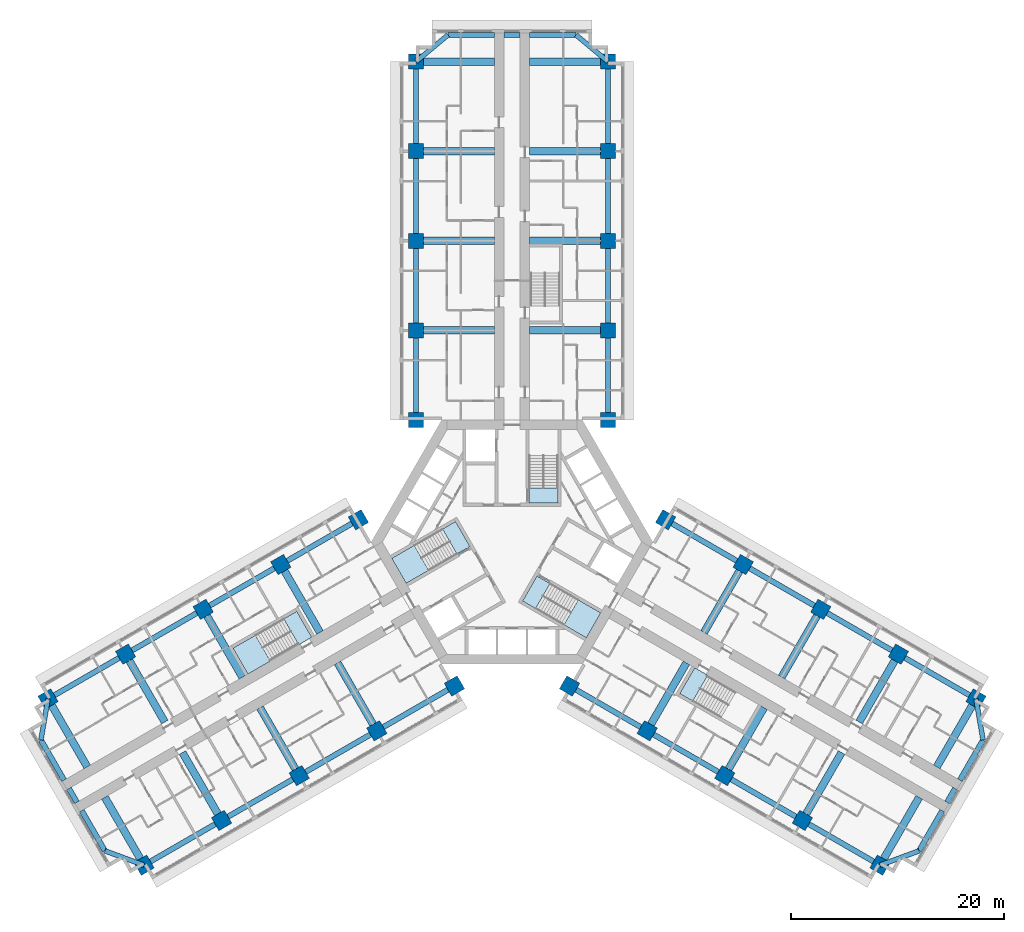
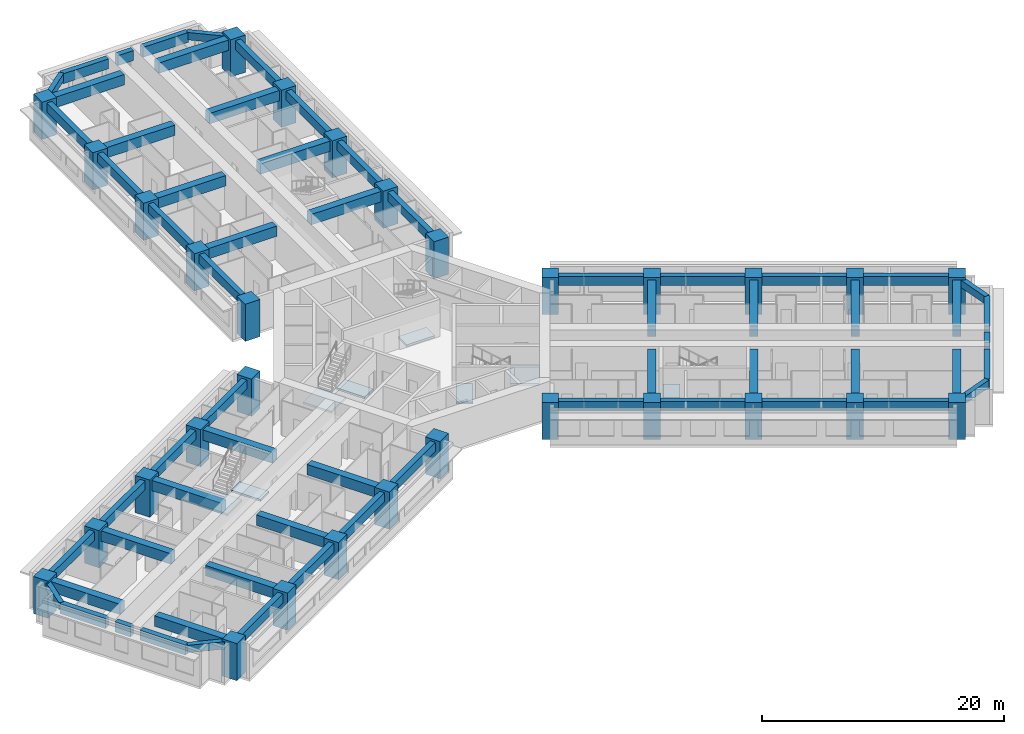
# One storey, part 1 of 16: 63 beams, 30 columns, 8 slabs, 5 elements without a shape of their own.
"""IFC4 building model written with IfcOpenShell, lengths in metres."""

import ifcopenshell
import ifcopenshell.guid

model = None  # the IFC model being written
_history = None  # IfcOwnerHistory: only IFC2X3 demands one
_inside = {}  # id of a spatial element -> (the spatial element, [elements in it])
_under = {}  # id of a project, library or spatial element -> (it, [spatial elements below it])
_declared = {}  # id of a project -> (the project, [libraries it declares])
_typed = {}  # id of a type object -> (the type object, [elements of that type])
_made_of = {}  # id of a material, layer set ... -> (it, [elements and type objects made of it])


def new_model(schema):
    """Start an empty IFC model of exactly this schema.

    Asked for "IFC4X3", IfcOpenShell would pick the latest addendum, in which some entities
    have other attributes; the version numbers below select the first issue.
    IFC2X3 requires an IfcOwnerHistory on every rooted entity: one is made here for all.
    """
    global model, _history
    if schema == "IFC4X3":
        model = ifcopenshell.file(schema_version=(4, 3, 0, 0))
    else:
        model = ifcopenshell.file(schema=schema)
    _inside.clear()
    _under.clear()
    _declared.clear()
    _typed.clear()
    _made_of.clear()
    _history = None
    if model.schema == "IFC2X3":
        org = make("IfcOrganization", Name="unknown")
        user = make(
            "IfcPersonAndOrganization",
            ThePerson=make("IfcPerson", FamilyName="unknown"),
            TheOrganization=org,
        )
        app = make(
            "IfcApplication",
            ApplicationDeveloper=org,
            Version="unknown",
            ApplicationFullName="unknown",
            ApplicationIdentifier="unknown",
        )
        _history = make(
            "IfcOwnerHistory",
            OwningUser=user,
            OwningApplication=app,
            ChangeAction="ADDED",
            CreationDate=0,
        )
    return model


def make(cls, **values):
    """One entity of the class cls with the attributes given. An attribute that is None is left unset."""
    return model.create_entity(
        cls, **{name: value for name, value in values.items() if value is not None}
    )


def rooted(cls, **values):
    """An entity with a GlobalId (a new one), such as an element, a storey or a relation."""
    return make(cls, GlobalId=ifcopenshell.guid.new(), OwnerHistory=_history, **values)


def si_unit(unit_type, name, prefix=None):
    """IfcSIUnit, for example si_unit("LENGTHUNIT", "METRE", prefix="MILLI")."""
    return make("IfcSIUnit", UnitType=unit_type, Prefix=prefix, Name=name)


def assignment(units):
    """IfcUnitAssignment: the units of a project."""
    return None if units is None else make("IfcUnitAssignment", Units=units)


def point(xyz):
    """IfcCartesianPoint."""
    return None if xyz is None else make("IfcCartesianPoint", Coordinates=xyz)


def direction(xyz):
    """IfcDirection."""
    return None if xyz is None else make("IfcDirection", DirectionRatios=xyz)


def frame(location, z_axis=None, x_axis=None):
    """IfcAxis2Placement3D, a coordinate frame: its origin and axes. An axis left out is left unset."""
    return make(
        "IfcAxis2Placement3D",
        Location=point(location),
        Axis=direction(z_axis),
        RefDirection=direction(x_axis),
    )


def frame_2d(location, x_axis=None):
    """IfcAxis2Placement2D, a coordinate frame in the plane: its origin and x axis."""
    return make(
        "IfcAxis2Placement2D", Location=point(location), RefDirection=direction(x_axis)
    )


def origin():
    """The frame at (0, 0, 0) with its axes left unset."""
    return frame((0.0, 0.0, 0.0))


def origin_2d():
    """The frame at (0, 0) in the plane with its x axis left unset."""
    return frame_2d((0.0, 0.0))


def place(relative_to, where):
    """IfcLocalPlacement: puts the frame where relative to a parent placement (None: the world)."""
    return make(
        "IfcLocalPlacement", PlacementRelTo=relative_to, RelativePlacement=where
    )


def context(
    kind, dimensions, precision=None, world=None, true_north=None, identifier=None
):
    """IfcGeometricRepresentationContext, for example the 3D "Model" context."""
    return make(
        "IfcGeometricRepresentationContext",
        ContextIdentifier=identifier,
        ContextType=kind,
        CoordinateSpaceDimension=dimensions,
        Precision=precision,
        WorldCoordinateSystem=world,
        TrueNorth=true_north,
    )


def subcontext(parent, identifier, kind, view, scale=None):
    """IfcGeometricRepresentationSubContext, for example "Body" below "Model"."""
    return make(
        "IfcGeometricRepresentationSubContext",
        ContextIdentifier=identifier,
        ContextType=kind,
        ParentContext=parent,
        TargetScale=scale,
        TargetView=view,
    )


def project(units=None, contexts=None):
    """IfcProject with its units and contexts."""
    return rooted(
        "IfcProject",
        Name="project",
        RepresentationContexts=contexts,
        UnitsInContext=assignment(units),
    )


def spatial(cls, under=None, at=None, **own):
    """A site, building, storey or space (cls), placed at a placement, below another one or the project."""
    s = rooted(cls, ObjectPlacement=at, **own)
    if under is not None:
        _under.setdefault(under.id(), (under, []))[1].append(s)
    return s


def polyline(points):
    """IfcPolyline through the points."""
    return make("IfcPolyline", Points=[point(p) for p in points])


def profile(cls, at=None, kind="AREA", **sizes):
    """A parametric profile (cls). Its sizes go by their IFC names, for example OverallWidth=200.0."""
    return make(cls, ProfileType=kind, Position=at, **sizes)


def rectangle(**sizes):
    """IfcRectangleProfileDef."""
    return profile("IfcRectangleProfileDef", **sizes)


def outline(outer, holes=None, kind="AREA"):
    """IfcArbitraryClosedProfileDef: a profile drawn as a closed curve; with holes, ...WithVoids."""
    if holes is None:
        return make("IfcArbitraryClosedProfileDef", ProfileType=kind, OuterCurve=outer)
    return make(
        "IfcArbitraryProfileDefWithVoids",
        ProfileType=kind,
        OuterCurve=outer,
        InnerCurves=holes,
    )


def extrude(swept, where, along, depth):
    """IfcExtrudedAreaSolid: the profile swept, set in the frame where, extruded along a direction by depth."""
    return make(
        "IfcExtrudedAreaSolid",
        SweptArea=swept,
        Position=where,
        ExtrudedDirection=direction(along),
        Depth=depth,
    )


def shape(context_of_items, identifier, shape_type, items):
    """IfcShapeRepresentation: the items that make up one representation, for example the "Body"."""
    return make(
        "IfcShapeRepresentation",
        ContextOfItems=context_of_items,
        RepresentationIdentifier=identifier,
        RepresentationType=shape_type,
        Items=items,
    )


def material(Name=None, Category=None):
    """IfcMaterial."""
    return make("IfcMaterial", Name=Name, Category=Category)


def layer(
    of_material, thickness, ventilated=None, Name=None, Category=None, Priority=None
):
    """IfcMaterialLayer: one layer of a wall or slab, of a material (None: an air gap)."""
    return make(
        "IfcMaterialLayer",
        Material=of_material,
        LayerThickness=thickness,
        IsVentilated=ventilated,
        Name=Name,
        Category=Category,
        Priority=Priority,
    )


def layer_set(layers, Name=None):
    """IfcMaterialLayerSet."""
    return make("IfcMaterialLayerSet", MaterialLayers=layers, LayerSetName=Name)


def material_profile(
    of_material, cross_section, Name=None, Category=None, Priority=None
):
    """IfcMaterialProfile: a cross section and its material."""
    return make(
        "IfcMaterialProfile",
        Name=Name,
        Material=of_material,
        Profile=cross_section,
        Priority=Priority,
        Category=Category,
    )


def profile_set(profiles, Name=None, composite=None):
    """IfcMaterialProfileSet."""
    return make(
        "IfcMaterialProfileSet",
        Name=Name,
        MaterialProfiles=profiles,
        CompositeProfile=composite,
    )


def made_of(thing, what):
    """Note that an element or type object is made of a material, layer set ...; save() writes the relation."""
    if what is not None:
        _made_of.setdefault(what.id(), (what, []))[1].append(thing)
    return thing


def type_object(cls, material=None, **own):
    """A type object (cls), such as IfcWallType, which elements share."""
    return made_of(rooted(cls, **own), material)


def element(
    cls,
    number,
    at=None,
    inside=None,
    cuts=None,
    type_object=None,
    material=None,
    context=None,
    identifier="Body",
    shape_type=None,
    held_by="IfcProductDefinitionShape",
    body=None,
    shapes=None,
    **own,
):
    """One element of the class cls, such as IfcWall. Its Tag is "e" and its number.

    at: its placement. inside: the storey or other place that contains it. cuts: it is an
    opening in that element (IfcRelVoidsElement). A single representation is given by context,
    identifier, shape_type and body (its items); several are given by shapes. held_by: the class
    of the entity that holds the representations. save() writes the other relations.
    """
    e = rooted(cls, Tag="e%d" % number, ObjectPlacement=at, **own)
    if body is not None:
        shapes = [shape(context, identifier, shape_type, body)]
    if shapes is not None:
        e.Representation = make(held_by, Representations=shapes)
    if inside is not None:
        _inside.setdefault(inside.id(), (inside, []))[1].append(e)
    if cuts is not None:
        rooted(
            "IfcRelVoidsElement", RelatingBuildingElement=cuts, RelatedOpeningElement=e
        )
    if type_object is not None:
        _typed.setdefault(type_object.id(), (type_object, []))[1].append(e)
    return made_of(e, material)


def aggregate(whole, parts):
    """IfcRelAggregates: a whole, such as a stair, and the parts it consists of."""
    return rooted("IfcRelAggregates", RelatingObject=whole, RelatedObjects=parts)


def save(model, path):
    """Write the relations noted so far, then the file.

    IfcRelAggregates (storeys below a building ...), IfcRelContainedInSpatialStructure (elements
    in a storey), IfcRelDefinesByType, IfcRelAssociatesMaterial and IfcRelDeclares: one each for
    every whole, place, type object, material and project.
    """
    for whole, parts in _under.values():
        aggregate(whole, parts)
    for where, things in _inside.values():
        rooted(
            "IfcRelContainedInSpatialStructure",
            RelatedElements=things,
            RelatingStructure=where,
        )
    for kind, things in _typed.values():
        rooted("IfcRelDefinesByType", RelatedObjects=things, RelatingType=kind)
    for what, things in _made_of.values():
        rooted("IfcRelAssociatesMaterial", RelatedObjects=things, RelatingMaterial=what)
    for by, libraries in _declared.values():
        rooted("IfcRelDeclares", RelatingContext=by, RelatedDefinitions=libraries)
    model.write(path)


model = new_model("IFC4")

# Units and contexts
model_context = context("Model", 3, precision=1e-05, world=origin(), true_north=direction((0.0, 1.0)))
body_context = subcontext(model_context, "Body", "Model", "MODEL_VIEW")
ifc_project = project(units=[si_unit("LENGTHUNIT", "METRE"), si_unit("AREAUNIT", "SQUARE_METRE"), si_unit("VOLUMEUNIT", "CUBIC_METRE"), si_unit("PLANEANGLEUNIT", "RADIAN"), si_unit("MASSUNIT", "GRAM", prefix="KILO")], contexts=[model_context])

# Site, building, storey
site_placement = place(None, origin())
site = spatial("IfcSite", under=ifc_project, at=site_placement, CompositionType="ELEMENT")
building_placement = place(site_placement, origin())
building = spatial("IfcBuilding", under=site, at=building_placement, Name="Impinga Residences", CompositionType="ELEMENT")
storey_placement = place(building_placement, frame((0.0, 0.0, 71.0)))
storey = spatial("IfcBuildingStorey", under=building, at=storey_placement, Name="L17", CompositionType="ELEMENT", Elevation=71.0)

# Columns
ifc_material_1 = material(Name="Concrete C70/85", Category="concrete")
ifc_material_profile_1 = material_profile(ifc_material_1, rectangle(XDim=1.39990234375, YDim=1.39990234375, at=origin_2d()), Name="RC 1400x1400")
ifc_profile_set_1 = profile_set([ifc_material_profile_1], Name="Concrete C70/85")
column_type = type_object("IfcColumnType", Name="C2 1400x1400 column", PredefinedType="COLUMN", material=ifc_profile_set_1)
for number, where, z_axis, x_axis, name in (
    (1, (-9.0, 11.431640625, 0.0), (0.0, 0.0, 1.0), (1.0, 0.0, 0.0), "Column C2 N1/NA L17"),
    (2, (9.0, 11.431640625, 0.0), (0.0, 0.0, 1.0), (1.0, 0.0, 0.0), "Column C2 N1/NF L17"),
    (3, (-9.0, 19.83154296875, 0.0), (0.0, 0.0, 1.0), (1.0, 0.0, 0.0), "Column C2 N2/NA L17"),
    (4, (9.0, 19.83154296875, 0.0), (0.0, 0.0, 1.0), (1.0, 0.0, 0.0), "Column C2 N2/NF L17"),
    (5, (-9.0, 28.2314453125, 0.0), (0.0, 0.0, 1.0), (1.0, 0.0, 0.0), "Column C2 N3/NA L17"),
    (6, (9.0, 28.2314453125, 0.0), (0.0, 0.0, 1.0), (1.0, 0.0, 0.0), "Column C2 N3/NF L17"),
    (7, (-9.0, 36.631591796875, 0.0), (0.0, 0.0, 1.0), (1.0, 0.0, 0.0), "Column C2 N4/NA L17"),
    (8, (9.0, 36.631591796875, 0.0), (0.0, 0.0, 1.0), (1.0, 0.0, 0.0), "Column C2 N4/NF L17"),
    (9, (-9.0, 45.031494140625, 0.0), (0.0, 0.0, 1.0), (1.0, 0.0, 0.0), "Column C2 N5/NA L17"),
    (10, (9.0, 45.031494140625, 0.0), (0.0, 0.0, 1.0), (1.0, 0.0, 0.0), "Column C2 N5/NF L17"),
    (11, (-5.39990234375, -13.510009765625, 0.0), (0.0, 0.0, 1.0), (-0.5, 0.866025403784, 0.0), "Column C2 W1/WA L17"),
    (12, (-14.39990234375, 2.078369140625, 0.0), (0.0, 0.0, 1.0), (-0.5, 0.866025403784, 0.0), "Column C2 W1/WF L17"),
    (13, (-12.674560546875, -17.7099609375, 0.0), (0.0, 0.0, 1.0), (-0.5, 0.866025403784, 0.0), "Column C2 W2/WA L17"),
    (14, (-21.674560546875, -2.12158203125, 0.0), (0.0, 0.0, 1.0), (-0.5, 0.866025403784, 0.0), "Column C2 W2/WF L17"),
    (15, (-19.94921875, -21.909912109375, 0.0), (0.0, 0.0, 1.0), (-0.5, 0.866025403784, 0.0), "Column C2 W3/WA L17"),
    (16, (-28.94921875, -6.321533203125, 0.0), (0.0, 0.0, 1.0), (-0.5, 0.866025403784, 0.0), "Column C2 W3/WF L17"),
    (17, (-27.223876953125, -26.110107421875, 0.0), (0.0, 0.0, 1.0), (-0.5, 0.866025403784, 0.0), "Column C2 W4/WA L17"),
    (18, (-36.223876953125, -10.521484375, 0.0), (0.0, 0.0, 1.0), (-0.5, 0.866025403784, 0.0), "Column C2 W4/WF L17"),
    (19, (-34.49853515625, -30.31005859375, 0.0), (0.0, 0.0, 1.0), (-0.5, 0.866025403784, 0.0), "Column C2 W5/WA L17"),
    (20, (-43.49853515625, -14.721435546875, 0.0), (0.0, 0.0, 1.0), (-0.5, 0.866025403784, 0.0), "Column C2 W5/WF L17"),
    (21, (14.39990234375, 2.078369140625, 0.0), (0.0, 0.0, 1.0), (-0.5, -0.866025403784, 0.0), "Column C2 E1/EA L17"),
    (22, (5.39990234375, -13.510009765625, 0.0), (0.0, 0.0, 1.0), (-0.5, -0.866025403784, 0.0), "Column C2 E1/EF L17"),
    (23, (21.674560546875, -2.12158203125, 0.0), (0.0, 0.0, 1.0), (-0.5, -0.866025403784, 0.0), "Column C2 E2/EA L17"),
    (24, (12.674560546875, -17.7099609375, 0.0), (0.0, 0.0, 1.0), (-0.5, -0.866025403784, 0.0), "Column C2 E2/EF L17"),
    (25, (28.94921875, -6.321533203125, 0.0), (0.0, 0.0, 1.0), (-0.5, -0.866025403784, 0.0), "Column C2 E3/EA L17"),
    (26, (19.94921875, -21.909912109375, 0.0), (0.0, 0.0, 1.0), (-0.5, -0.866025403784, 0.0), "Column C2 E3/EF L17"),
    (27, (36.223876953125, -10.521484375, 0.0), (0.0, 0.0, 1.0), (-0.5, -0.866025403784, 0.0), "Column C2 E4/EA L17"),
    (28, (27.223876953125, -26.110107421875, 0.0), (0.0, 0.0, 1.0), (-0.5, -0.866025403784, 0.0), "Column C2 E4/EF L17"),
    (29, (43.49853515625, -14.721435546875, 0.0), (0.0, 0.0, 1.0), (-0.5, -0.866025403784, 0.0), "Column C2 E5/EA L17"),
    (30, (34.49853515625, -30.31005859375, 0.0), (0.0, 0.0, 1.0), (-0.5, -0.866025403784, 0.0), "Column C2 E5/EF L17"),
):
    element("IfcColumn", number, at=place(storey_placement, frame(where, z_axis=z_axis, x_axis=x_axis)), inside=storey, type_object=column_type, Name=name, PredefinedType="COLUMN", context=body_context, shape_type="SweptSolid", body=[
        extrude(rectangle(XDim=1.39990234375, YDim=1.39990234375, at=origin_2d()), origin(), (0.0, 0.0, 1.0), 3.75),
    ])

# Beams
ifc_material_2 = material(Name="Concrete C60/75", Category="concrete")
ifc_material_profile_2 = material_profile(ifc_material_2, rectangle(XDim=0.449951171875, YDim=0.75, at=origin_2d()), Name="RC 450x750")
ifc_profile_set_2 = profile_set([ifc_material_profile_2], Name="Concrete C60/75")
beam_type_1 = type_object("IfcBeamType", Name="CB1 450x750 wing end cantilever beam", PredefinedType="BEAM", material=ifc_profile_set_2)
for number, where, z_axis, x_axis, name in (
    (31, (-9.0, 45.031494140625, 3.155029296875), (0.768221279597, 0.640184399664, 0.0), (-0.640184399664, 0.768221279597, 0.0), "Beam CB1 NB N5-NX level L18"),
    (32, (9.0, 45.031494140625, 3.155029296875), (-0.768221279597, 0.640184399664, 0.0), (-0.640184399664, -0.768221279597, 0.0), "Beam CB1 NE N5-NX level L18"),
    (33, (-34.49853515625, -30.31005859375, 3.155029296875), (-0.938520178725, 0.345224382289, 0.0), (-0.345224382289, -0.938520178725, 0.0), "Beam CB1 WB W5-WX level L18"),
):
    element("IfcBeam", number, at=place(storey_placement, frame(where, z_axis=z_axis, x_axis=x_axis)), inside=storey, type_object=beam_type_1, Name=name, PredefinedType="BEAM", context=body_context, shape_type="SweptSolid", body=[
        extrude(rectangle(XDim=0.449951171875, YDim=0.75, at=origin_2d()), origin(), (0.0, 0.0, 1.0), 3.905029296875),
    ])
for number, where, z_axis, x_axis, name in (
    (34, (-43.49853515625, -14.721435546875, 3.155029296875), (-0.170296298948, -0.985392901621, 0.0), (0.985392901621, -0.170296298948, 0.0), "Beam CB1 WE W5-WX level L18"),
    (35, (43.49853515625, -14.721435546875, 3.155029296875), (0.170296298948, -0.985392901621, 0.0), (0.985392901621, 0.170296298948, 0.0), "Beam CB1 EB E5-EX level L18"),
):
    element("IfcBeam", number, at=place(storey_placement, frame(where, z_axis=z_axis, x_axis=x_axis)), inside=storey, type_object=beam_type_1, Name=name, PredefinedType="BEAM", context=body_context, shape_type="SweptSolid", body=[
        extrude(rectangle(XDim=0.449951171875, YDim=0.75, at=origin_2d()), origin(), (0.0, 0.0, 1.0), 3.9052734375),
    ])
beam_1_placement = place(storey_placement, frame((34.49853515625, -30.31005859375, 3.155029296875), z_axis=(0.938520178725, 0.345224382289, 0.0), x_axis=(-0.345224382289, 0.938520178725, 0.0)))
element("IfcBeam", 36, at=beam_1_placement, inside=storey, type_object=beam_type_1, Name="Beam CB1 EE E5-EX level L18", PredefinedType="BEAM", context=body_context, shape_type="SweptSolid", body=[
    extrude(rectangle(XDim=0.449951171875, YDim=0.75, at=origin_2d()), origin(), (0.0, 0.0, 1.0), 3.905029296875),
])
ifc_material_profile_3 = material_profile(ifc_material_2, rectangle(XDim=0.699951171875, YDim=1.050048828125, at=origin_2d()), Name="RC 700x1050")
ifc_profile_set_3 = profile_set([ifc_material_profile_3], Name="Concrete C60/75")
beam_type_2 = type_object("IfcBeamType", Name="CG1 700x1050 cross girder on a wing bay line", PredefinedType="BEAM", material=ifc_profile_set_3)
for number, where, z_axis, x_axis, name in (
    (37, (-1.64990234375, 19.83154296875, 3.0048828125), (-1.0, 0.0, 0.0), (0.0, -1.0, 0.0), "Beam CG1 N2 NC/NA level L18"),
    (38, (-1.64990234375, 28.2314453125, 3.0048828125), (-1.0, 0.0, 0.0), (0.0, -1.0, 0.0), "Beam CG1 N3 NC/NA level L18"),
    (39, (-1.64990234375, 36.631591796875, 3.0048828125), (-1.0, 0.0, 0.0), (0.0, -1.0, 0.0), "Beam CG1 N4 NC/NA level L18"),
    (40, (-1.64990234375, 45.031494140625, 3.0048828125), (-1.0, 0.0, 0.0), (0.0, -1.0, 0.0), "Beam CG1 N5 NC/NA level L18"),
    (41, (1.64990234375, 19.83154296875, 3.0048828125), (1.0, 0.0, 0.0), (0.0, 1.0, 0.0), "Beam CG1 N2 NC/NF level L18"),
    (42, (1.64990234375, 28.2314453125, 3.0048828125), (1.0, 0.0, 0.0), (0.0, 1.0, 0.0), "Beam CG1 N3 NC/NF level L18"),
    (43, (1.64990234375, 36.631591796875, 3.0048828125), (1.0, 0.0, 0.0), (0.0, 1.0, 0.0), "Beam CG1 N4 NC/NF level L18"),
    (44, (1.64990234375, 45.031494140625, 3.0048828125), (1.0, 0.0, 0.0), (0.0, 1.0, 0.0), "Beam CG1 N5 NC/NF level L18"),
    (45, (-16.349609375, -11.3447265625, 3.0048828125), (0.500008066151, -0.86602074674, 0.0), (0.86602074674, 0.500008066151, 0.0), "Beam CG1 W2 WC/WA level L18"),
    (46, (-23.624267578125, -15.544677734375, 3.0048828125), (0.500008066151, -0.86602074674, 0.0), (0.86602074674, 0.500008066151, 0.0), "Beam CG1 W3 WC/WA level L18"),
    (47, (-30.89892578125, -19.74462890625, 3.0048828125), (0.499993683172, -0.866029050776, 0.0), (0.866029050776, 0.499993683172, 0.0), "Beam CG1 W4 WC/WA level L18"),
):
    element("IfcBeam", number, at=place(storey_placement, frame(where, z_axis=z_axis, x_axis=x_axis)), inside=storey, type_object=beam_type_2, Name=name, PredefinedType="BEAM", context=body_context, shape_type="SweptSolid", body=[
        extrude(rectangle(XDim=0.699951171875, YDim=1.050048828125, at=origin_2d()), origin(), (0.0, 0.0, 1.0), 7.35009765625),
    ])
beam_2_placement = place(storey_placement, frame((-38.17333984375, -23.94482421875, 3.0048828125), z_axis=(0.499983153418, -0.866035129944, 0.0), x_axis=(0.866035129944, 0.499983153418, 0.0)))
element("IfcBeam", 48, at=beam_2_placement, inside=storey, type_object=beam_type_2, Name="Beam CG1 W5 WC/WA level L18", PredefinedType="BEAM", context=body_context, shape_type="SweptSolid", body=[
    extrude(rectangle(XDim=0.699951171875, YDim=1.050048828125, at=origin_2d()), origin(), (0.0, 0.0, 1.0), 7.349853515625),
])
for number, where, z_axis, x_axis, name in (
    (49, (-17.99951171875, -8.48681640625, 3.0048828125), (-0.500008066151, 0.86602074674, 0.0), (-0.86602074674, -0.500008066151, 0.0), "Beam CG1 W2 WC/WF level L18"),
    (50, (-25.274169921875, -12.686767578125, 3.0048828125), (-0.500008066151, 0.86602074674, 0.0), (-0.86602074674, -0.500008066151, 0.0), "Beam CG1 W3 WC/WF level L18"),
    (51, (-32.548828125, -16.88671875, 3.0048828125), (-0.500008066151, 0.86602074674, 0.0), (-0.86602074674, -0.500008066151, 0.0), "Beam CG1 W4 WC/WF level L18"),
    (52, (-39.823486328125, -21.0869140625, 3.0048828125), (-0.499993683172, 0.866029050776, 0.0), (-0.866029050776, -0.499993683172, 0.0), "Beam CG1 W5 WC/WF level L18"),
    (53, (17.99951171875, -8.48681640625, 3.0048828125), (0.500008066151, 0.86602074674, 0.0), (-0.86602074674, 0.500008066151, 0.0), "Beam CG1 E2 EC/EA level L18"),
    (54, (25.274169921875, -12.686767578125, 3.0048828125), (0.500008066151, 0.86602074674, 0.0), (-0.86602074674, 0.500008066151, 0.0), "Beam CG1 E3 EC/EA level L18"),
    (55, (32.548828125, -16.88671875, 3.0048828125), (0.500008066151, 0.86602074674, 0.0), (-0.86602074674, 0.500008066151, 0.0), "Beam CG1 E4 EC/EA level L18"),
    (56, (39.823486328125, -21.0869140625, 3.0048828125), (0.499993683172, 0.866029050776, 0.0), (-0.866029050776, 0.499993683172, 0.0), "Beam CG1 E5 EC/EA level L18"),
    (57, (16.349609375, -11.3447265625, 3.0048828125), (-0.500008066151, -0.86602074674, 0.0), (0.86602074674, -0.500008066151, 0.0), "Beam CG1 E2 EC/EF level L18"),
    (58, (23.624267578125, -15.544677734375, 3.0048828125), (-0.500008066151, -0.86602074674, 0.0), (0.86602074674, -0.500008066151, 0.0), "Beam CG1 E3 EC/EF level L18"),
    (59, (30.89892578125, -19.74462890625, 3.0048828125), (-0.499993683172, -0.866029050776, 0.0), (0.866029050776, -0.499993683172, 0.0), "Beam CG1 E4 EC/EF level L18"),
):
    element("IfcBeam", number, at=place(storey_placement, frame(where, z_axis=z_axis, x_axis=x_axis)), inside=storey, type_object=beam_type_2, Name=name, PredefinedType="BEAM", context=body_context, shape_type="SweptSolid", body=[
        extrude(rectangle(XDim=0.699951171875, YDim=1.050048828125, at=origin_2d()), origin(), (0.0, 0.0, 1.0), 7.35009765625),
    ])
beam_3_placement = place(storey_placement, frame((38.17333984375, -23.94482421875, 3.0048828125), z_axis=(-0.499983153418, -0.866035129944, 0.0), x_axis=(0.866035129944, -0.499983153418, 0.0)))
element("IfcBeam", 60, at=beam_3_placement, inside=storey, type_object=beam_type_2, Name="Beam CG1 E5 EC/EF level L18", PredefinedType="BEAM", context=body_context, shape_type="SweptSolid", body=[
    extrude(rectangle(XDim=0.699951171875, YDim=1.050048828125, at=origin_2d()), origin(), (0.0, 0.0, 1.0), 7.349853515625),
])
ifc_material_profile_4 = material_profile(ifc_material_2, rectangle(XDim=0.5, YDim=1.0, at=origin_2d()), Name="RC 500x1000")
ifc_profile_set_4 = profile_set([ifc_material_profile_4], Name="Concrete C60/75")
beam_type_3 = type_object("IfcBeamType", Name="EB1 500x1000 wing end beam", PredefinedType="BEAM", material=ifc_profile_set_4)
beam_4_placement = place(storey_placement, frame((-6.0, 47.531494140625, 3.030029296875), z_axis=(1.0, 0.0, 0.0), x_axis=(0.0, 1.0, 0.0)))
element("IfcBeam", 61, at=beam_4_placement, inside=storey, type_object=beam_type_3, Name="Beam EB1 NX4 level L18", PredefinedType="BEAM", context=body_context, shape_type="SweptSolid", body=[
    extrude(rectangle(XDim=0.5, YDim=1.0, at=origin_2d()), origin(), (0.0, 0.0, 1.0), 4.35009765625),
])
beam_5_placement = place(storey_placement, frame((-0.75, 47.531494140625, 3.030029296875), z_axis=(1.0, 0.0, 0.0), x_axis=(0.0, 1.0, 0.0)))
element("IfcBeam", 62, at=beam_5_placement, inside=storey, type_object=beam_type_3, Name="Beam EB1 NX4 level L18", PredefinedType="BEAM", context=body_context, shape_type="SweptSolid", body=[
    extrude(rectangle(XDim=0.5, YDim=1.0, at=origin_2d()), origin(), (0.0, 0.0, 1.0), 1.5),
])
beam_6_placement = place(storey_placement, frame((1.64990234375, 47.531494140625, 3.030029296875), z_axis=(1.0, 0.0, 0.0), x_axis=(0.0, 1.0, 0.0)))
element("IfcBeam", 63, at=beam_6_placement, inside=storey, type_object=beam_type_3, Name="Beam EB1 NX4 level L18", PredefinedType="BEAM", context=body_context, shape_type="SweptSolid", body=[
    extrude(rectangle(XDim=0.5, YDim=1.0, at=origin_2d()), origin(), (0.0, 0.0, 1.0), 4.35009765625),
])
beam_7_placement = place(storey_placement, frame((-38.16357421875, -28.9619140625, 3.030029296875), z_axis=(-0.500020430026, 0.866013608182, 0.0), x_axis=(-0.866013608182, -0.500020430026, 0.0)))
element("IfcBeam", 64, at=beam_7_placement, inside=storey, type_object=beam_type_3, Name="Beam EB1 WX4 level L18", PredefinedType="BEAM", context=body_context, shape_type="SweptSolid", body=[
    extrude(rectangle(XDim=0.5, YDim=1.0, at=origin_2d()), origin(), (0.0, 0.0, 1.0), 4.349853515625),
])
beam_8_placement = place(storey_placement, frame((-40.78857421875, -24.415283203125, 3.030029296875), z_axis=(-0.499990139034, 0.866031096941, 0.0), x_axis=(-0.866031096941, -0.499990139034, 0.0)))
element("IfcBeam", 65, at=beam_8_placement, inside=storey, type_object=beam_type_3, Name="Beam EB1 WX4 level L18", PredefinedType="BEAM", context=body_context, shape_type="SweptSolid", body=[
    extrude(rectangle(XDim=0.5, YDim=1.0, at=origin_2d()), origin(), (0.0, 0.0, 1.0), 1.5),
])
for number, where, z_axis, x_axis, name in (
    (66, (-41.988525390625, -22.3369140625, 3.030029296875), (-0.499996127374, 0.866027639635, 0.0), (-0.866027639635, -0.499996127374, 0.0), "Beam EB1 WX4 level L18"),
    (67, (44.16357421875, -18.569580078125, 3.030029296875), (-0.499996127374, -0.866027639635, 0.0), (0.866027639635, -0.499996127374, 0.0), "Beam EB1 EX4 level L18"),
):
    element("IfcBeam", number, at=place(storey_placement, frame(where, z_axis=z_axis, x_axis=x_axis)), inside=storey, type_object=beam_type_3, Name=name, PredefinedType="BEAM", context=body_context, shape_type="SweptSolid", body=[
        extrude(rectangle(XDim=0.5, YDim=1.0, at=origin_2d()), origin(), (0.0, 0.0, 1.0), 4.35009765625),
    ])
beam_9_placement = place(storey_placement, frame((41.53857421875, -23.1162109375, 3.030029296875), z_axis=(-0.499990139034, -0.866031096941, 0.0), x_axis=(0.866031096941, -0.499990139034, 0.0)))
element("IfcBeam", 68, at=beam_9_placement, inside=storey, type_object=beam_type_3, Name="Beam EB1 EX4 level L18", PredefinedType="BEAM", context=body_context, shape_type="SweptSolid", body=[
    extrude(rectangle(XDim=0.5, YDim=1.0, at=origin_2d()), origin(), (0.0, 0.0, 1.0), 1.5),
])
beam_10_placement = place(storey_placement, frame((40.338623046875, -25.19482421875, 3.030029296875), z_axis=(-0.500020430026, -0.866013608182, 0.0), x_axis=(0.866013608182, -0.500020430026, 0.0)))
element("IfcBeam", 69, at=beam_10_placement, inside=storey, type_object=beam_type_3, Name="Beam EB1 EX4 level L18", PredefinedType="BEAM", context=body_context, shape_type="SweptSolid", body=[
    extrude(rectangle(XDim=0.5, YDim=1.0, at=origin_2d()), origin(), (0.0, 0.0, 1.0), 4.349853515625),
])
ifc_material_profile_5 = material_profile(ifc_material_2, rectangle(XDim=0.5, YDim=0.89990234375, at=origin_2d()), Name="RC 500x900")
ifc_profile_set_5 = profile_set([ifc_material_profile_5], Name="Concrete C60/75")
beam_type_4 = type_object("IfcBeamType", Name="SB1 500x900 perimeter spandrel beam", PredefinedType="SPANDREL", material=ifc_profile_set_5)
for number, where, z_axis, x_axis, name in (
    (70, (-9.0, 11.431640625, 3.080078125), (0.0, 1.0, 0.0), (-1.0, 0.0, 0.0), "Beam SB1 NA N1-N2 level L18"),
    (71, (-9.0, 19.83154296875, 3.080078125), (0.0, 1.0, 0.0), (-1.0, 0.0, 0.0), "Beam SB1 NA N2-N3 level L18"),
):
    element("IfcBeam", number, at=place(storey_placement, frame(where, z_axis=z_axis, x_axis=x_axis)), inside=storey, type_object=beam_type_4, Name=name, PredefinedType="SPANDREL", context=body_context, shape_type="SweptSolid", body=[
        extrude(rectangle(XDim=0.5, YDim=0.89990234375, at=origin_2d()), origin(), (0.0, 0.0, 1.0), 8.39990234375),
    ])
beam_11_placement = place(storey_placement, frame((-9.0, 28.2314453125, 3.080078125), z_axis=(0.0, 1.0, 0.0), x_axis=(-1.0, 0.0, 0.0)))
element("IfcBeam", 72, at=beam_11_placement, inside=storey, type_object=beam_type_4, Name="Beam SB1 NA N3-N4 level L18", PredefinedType="SPANDREL", context=body_context, shape_type="SweptSolid", body=[
    extrude(rectangle(XDim=0.5, YDim=0.89990234375, at=origin_2d()), origin(), (0.0, 0.0, 1.0), 8.400146484375),
])
for number, where, z_axis, x_axis, name in (
    (73, (-9.0, 36.631591796875, 3.080078125), (0.0, 1.0, 0.0), (-1.0, 0.0, 0.0), "Beam SB1 NA N4-N5 level L18"),
    (74, (9.0, 11.431640625, 3.080078125), (0.0, 1.0, 0.0), (-1.0, 0.0, 0.0), "Beam SB1 NF N1-N2 level L18"),
    (75, (9.0, 19.83154296875, 3.080078125), (0.0, 1.0, 0.0), (-1.0, 0.0, 0.0), "Beam SB1 NF N2-N3 level L18"),
):
    element("IfcBeam", number, at=place(storey_placement, frame(where, z_axis=z_axis, x_axis=x_axis)), inside=storey, type_object=beam_type_4, Name=name, PredefinedType="SPANDREL", context=body_context, shape_type="SweptSolid", body=[
        extrude(rectangle(XDim=0.5, YDim=0.89990234375, at=origin_2d()), origin(), (0.0, 0.0, 1.0), 8.39990234375),
    ])
beam_12_placement = place(storey_placement, frame((9.0, 28.2314453125, 3.080078125), z_axis=(0.0, 1.0, 0.0), x_axis=(-1.0, 0.0, 0.0)))
element("IfcBeam", 76, at=beam_12_placement, inside=storey, type_object=beam_type_4, Name="Beam SB1 NF N3-N4 level L18", PredefinedType="SPANDREL", context=body_context, shape_type="SweptSolid", body=[
    extrude(rectangle(XDim=0.5, YDim=0.89990234375, at=origin_2d()), origin(), (0.0, 0.0, 1.0), 8.400146484375),
])
for number, where, z_axis, x_axis, name in (
    (77, (9.0, 36.631591796875, 3.080078125), (0.0, 1.0, 0.0), (-1.0, 0.0, 0.0), "Beam SB1 NF N4-N5 level L18"),
    (78, (-5.39990234375, -13.510009765625, 3.080078125), (-0.86602925447, -0.499993330357, 0.0), (0.499993330357, -0.86602925447, 0.0), "Beam SB1 WA W1-W2 level L18"),
    (79, (-12.674560546875, -17.7099609375, 3.080078125), (-0.86602925447, -0.499993330357, 0.0), (0.499993330357, -0.86602925447, 0.0), "Beam SB1 WA W2-W3 level L18"),
):
    element("IfcBeam", number, at=place(storey_placement, frame(where, z_axis=z_axis, x_axis=x_axis)), inside=storey, type_object=beam_type_4, Name=name, PredefinedType="SPANDREL", context=body_context, shape_type="SweptSolid", body=[
        extrude(rectangle(XDim=0.5, YDim=0.89990234375, at=origin_2d()), origin(), (0.0, 0.0, 1.0), 8.39990234375),
    ])
beam_13_placement = place(storey_placement, frame((-19.94921875, -21.909912109375, 3.080078125), z_axis=(-0.866016669275, -0.500015128309, 0.0), x_axis=(0.500015128309, -0.866016669275, 0.0)))
element("IfcBeam", 80, at=beam_13_placement, inside=storey, type_object=beam_type_4, Name="Beam SB1 WA W3-W4 level L18", PredefinedType="SPANDREL", context=body_context, shape_type="SweptSolid", body=[
    extrude(rectangle(XDim=0.5, YDim=0.89990234375, at=origin_2d()), origin(), (0.0, 0.0, 1.0), 8.400146484375),
])
for number, where, z_axis, x_axis, name in (
    (81, (-27.223876953125, -26.110107421875, 3.080078125), (-0.86602925447, -0.499993330357, 0.0), (0.499993330357, -0.86602925447, 0.0), "Beam SB1 WA W4-W5 level L18"),
    (82, (-14.39990234375, 2.078369140625, 3.080078125), (-0.86602925447, -0.499993330357, 0.0), (0.499993330357, -0.86602925447, 0.0), "Beam SB1 WF W1-W2 level L18"),
    (83, (-21.674560546875, -2.12158203125, 3.080078125), (-0.86602925447, -0.499993330357, 0.0), (0.499993330357, -0.86602925447, 0.0), "Beam SB1 WF W2-W3 level L18"),
    (84, (-28.94921875, -6.321533203125, 3.080078125), (-0.86602925447, -0.499993330357, 0.0), (0.499993330357, -0.86602925447, 0.0), "Beam SB1 WF W3-W4 level L18"),
    (85, (-36.223876953125, -10.521484375, 3.080078125), (-0.86602925447, -0.499993330357, 0.0), (0.499993330357, -0.86602925447, 0.0), "Beam SB1 WF W4-W5 level L18"),
    (86, (14.39990234375, 2.078369140625, 3.080078125), (0.86602925447, -0.499993330357, 0.0), (0.499993330357, 0.86602925447, 0.0), "Beam SB1 EA E1-E2 level L18"),
    (87, (21.674560546875, -2.12158203125, 3.080078125), (0.86602925447, -0.499993330357, 0.0), (0.499993330357, 0.86602925447, 0.0), "Beam SB1 EA E2-E3 level L18"),
    (88, (28.94921875, -6.321533203125, 3.080078125), (0.86602925447, -0.499993330357, 0.0), (0.499993330357, 0.86602925447, 0.0), "Beam SB1 EA E3-E4 level L18"),
    (89, (36.223876953125, -10.521484375, 3.080078125), (0.86602925447, -0.499993330357, 0.0), (0.499993330357, 0.86602925447, 0.0), "Beam SB1 EA E4-E5 level L18"),
    (90, (5.39990234375, -13.510009765625, 3.080078125), (0.86602925447, -0.499993330357, 0.0), (0.499993330357, 0.86602925447, 0.0), "Beam SB1 EF E1-E2 level L18"),
    (91, (12.674560546875, -17.7099609375, 3.080078125), (0.86602925447, -0.499993330357, 0.0), (0.499993330357, 0.86602925447, 0.0), "Beam SB1 EF E2-E3 level L18"),
):
    element("IfcBeam", number, at=place(storey_placement, frame(where, z_axis=z_axis, x_axis=x_axis)), inside=storey, type_object=beam_type_4, Name=name, PredefinedType="SPANDREL", context=body_context, shape_type="SweptSolid", body=[
        extrude(rectangle(XDim=0.5, YDim=0.89990234375, at=origin_2d()), origin(), (0.0, 0.0, 1.0), 8.39990234375),
    ])
beam_14_placement = place(storey_placement, frame((19.94921875, -21.909912109375, 3.080078125), z_axis=(0.866016669275, -0.500015128309, 0.0), x_axis=(0.500015128309, 0.866016669275, 0.0)))
element("IfcBeam", 92, at=beam_14_placement, inside=storey, type_object=beam_type_4, Name="Beam SB1 EF E3-E4 level L18", PredefinedType="SPANDREL", context=body_context, shape_type="SweptSolid", body=[
    extrude(rectangle(XDim=0.5, YDim=0.89990234375, at=origin_2d()), origin(), (0.0, 0.0, 1.0), 8.400146484375),
])
beam_15_placement = place(storey_placement, frame((27.223876953125, -26.110107421875, 3.080078125), z_axis=(0.86602925447, -0.499993330357, 0.0), x_axis=(0.499993330357, 0.86602925447, 0.0)))
element("IfcBeam", 93, at=beam_15_placement, inside=storey, type_object=beam_type_4, Name="Beam SB1 EF E4-E5 level L18", PredefinedType="SPANDREL", context=body_context, shape_type="SweptSolid", body=[
    extrude(rectangle(XDim=0.5, YDim=0.89990234375, at=origin_2d()), origin(), (0.0, 0.0, 1.0), 8.39990234375),
])

# Stair, slab
ifc_material_3 = material(Name="Concrete C40/50", Category="concrete")
stair_type_1 = type_object("IfcStairType", Name="STR core stair 3750 storey, 24 risers", PredefinedType="HALF_TURN_STAIR", material=ifc_material_3)
stair_1_placement = place(storey_placement, origin())
stair_1 = element("IfcStair", 94, at=stair_1_placement, inside=storey, type_object=stair_type_1, Name="Stair ST1 L17", PredefinedType="HALF_TURN_STAIR")
ifc_layer = layer(ifc_material_3, 0.199951171875)
ifc_layer_set = layer_set([ifc_layer], Name="Concrete C40/50")
slab_type = type_object("IfcSlabType", Name="LS1 stair landing 200", PredefinedType="LANDING", material=ifc_layer_set)
slab_1_placement = place(storey_placement, frame((0.0, 0.0, -0.199951171875)))
slab_1 = element("IfcSlab", 95, at=slab_1_placement, type_object=slab_type, Name="ST1 landing 1", PredefinedType="LANDING", context=body_context, shape_type="SweptSolid", body=[
    extrude(outline(polyline([(1.60009765625, 3.6298828125), (4.300048828125, 3.6298828125), (4.300048828125, 5.0400390625), (1.60009765625, 5.0400390625), (1.60009765625, 3.6298828125)])), origin(), (0.0, 0.0, 1.0), 0.199951171875),
])
aggregate(stair_1, [slab_1])

# Stair, slabs
stair_2_placement = place(storey_placement, origin())
stair_2 = element("IfcStair", 96, at=stair_2_placement, inside=storey, type_object=stair_type_1, Name="Stair ST2 L17", PredefinedType="HALF_TURN_STAIR")
slab_2_placement = place(storey_placement, frame((0.0, 0.0, -0.199951171875)))
slab_2 = element("IfcSlab", 97, at=slab_2_placement, type_object=slab_type, Name="ST2 landing 1", PredefinedType="LANDING", context=body_context, shape_type="SweptSolid", body=[
    extrude(outline(polyline([(-3.943603515625, -0.429443359375), (-5.293701171875, 1.908935546875), (-6.5146484375, 1.203857421875), (-5.164794921875, -1.13427734375), (-3.943603515625, -0.429443359375)])), origin(), (0.0, 0.0, 1.0), 0.199951171875),
])
slab_3_placement = place(storey_placement, frame((0.0, 0.0, 1.675048828125)))
slab_3 = element("IfcSlab", 98, at=slab_3_placement, type_object=slab_type, Name="ST2 landing 2", PredefinedType="LANDING", context=body_context, shape_type="SweptSolid", body=[
    extrude(outline(polyline([(-7.814697265625, -2.664306640625), (-9.164794921875, -0.326171875), (-11.2705078125, -1.541748046875), (-9.920654296875, -3.880126953125), (-7.814697265625, -2.664306640625)])), origin(), (0.0, 0.0, 1.0), 0.199951171875),
])
aggregate(stair_2, [slab_2, slab_3])

stair_3_placement = place(storey_placement, origin())
stair_3 = element("IfcStair", 99, at=stair_3_placement, inside=storey, type_object=stair_type_1, Name="Stair ST3 L17", PredefinedType="HALF_TURN_STAIR")
slab_4_placement = place(storey_placement, frame((0.0, 0.0, -0.199951171875)))
slab_4 = element("IfcSlab", 100, at=slab_4_placement, type_object=slab_type, Name="ST3 landing 1", PredefinedType="LANDING", context=body_context, shape_type="SweptSolid", body=[
    extrude(outline(polyline([(2.34375, -3.20068359375), (0.99365234375, -5.538818359375), (2.21484375, -6.243896484375), (3.564697265625, -3.90576171875), (2.34375, -3.20068359375)])), origin(), (0.0, 0.0, 1.0), 0.199951171875),
])
slab_5_placement = place(storey_placement, frame((0.0, 0.0, 1.675048828125)))
slab_5 = element("IfcSlab", 101, at=slab_5_placement, type_object=slab_type, Name="ST3 landing 2", PredefinedType="LANDING", context=body_context, shape_type="SweptSolid", body=[
    extrude(outline(polyline([(6.21484375, -5.435546875), (4.86474609375, -7.77392578125), (6.970458984375, -8.98974609375), (8.320556640625, -6.6513671875), (6.21484375, -5.435546875)])), origin(), (0.0, 0.0, 1.0), 0.199951171875),
])
aggregate(stair_3, [slab_4, slab_5])

stair_type_2 = type_object("IfcStairType", Name="STR wing stair 3750 storey, 24 risers", PredefinedType="HALF_TURN_STAIR", material=ifc_material_3)
stair_4_placement = place(storey_placement, origin())
stair_4 = element("IfcStair", 102, at=stair_4_placement, inside=storey, type_object=stair_type_2, Name="Stair WS2 L17", PredefinedType="HALF_TURN_STAIR")
slab_6_placement = place(storey_placement, frame((0.0, 0.0, -0.199951171875)))
slab_6 = element("IfcSlab", 103, at=slab_6_placement, type_object=slab_type, Name="WS2 landing 1", PredefinedType="LANDING", context=body_context, shape_type="SweptSolid", body=[
    extrude(outline(polyline([(-18.779052734375, -8.936767578125), (-20.178955078125, -6.511962890625), (-21.400146484375, -7.217041015625), (-20.000244140625, -9.641845703125), (-18.779052734375, -8.936767578125)])), origin(), (0.0, 0.0, 1.0), 0.199951171875),
])
slab_7_placement = place(storey_placement, frame((0.0, 0.0, 1.675048828125)))
slab_7 = element("IfcSlab", 104, at=slab_7_placement, type_object=slab_type, Name="WS2 landing 2", PredefinedType="LANDING", context=body_context, shape_type="SweptSolid", body=[
    extrude(outline(polyline([(-22.650146484375, -11.171875), (-24.050048828125, -8.7470703125), (-26.154541015625, -9.9619140625), (-24.754638671875, -12.38671875), (-22.650146484375, -11.171875)])), origin(), (0.0, 0.0, 1.0), 0.199951171875),
])
aggregate(stair_4, [slab_6, slab_7])

# Stair, slab
stair_5_placement = place(storey_placement, origin())
stair_5 = element("IfcStair", 105, at=stair_5_placement, inside=storey, type_object=stair_type_2, Name="Stair WS3 L17", PredefinedType="HALF_TURN_STAIR")
slab_8_placement = place(storey_placement, frame((0.0, 0.0, -0.199951171875)))
slab_8 = element("IfcSlab", 106, at=slab_8_placement, type_object=slab_type, Name="WS3 landing 1", PredefinedType="LANDING", context=body_context, shape_type="SweptSolid", body=[
    extrude(outline(polyline([(17.129150390625, -11.794677734375), (15.72900390625, -14.219482421875), (16.9501953125, -14.924560546875), (18.35009765625, -12.499755859375), (17.129150390625, -11.794677734375)])), origin(), (0.0, 0.0, 1.0), 0.199951171875),
])
aggregate(stair_5, [slab_8])

save(model, "model.ifc")
